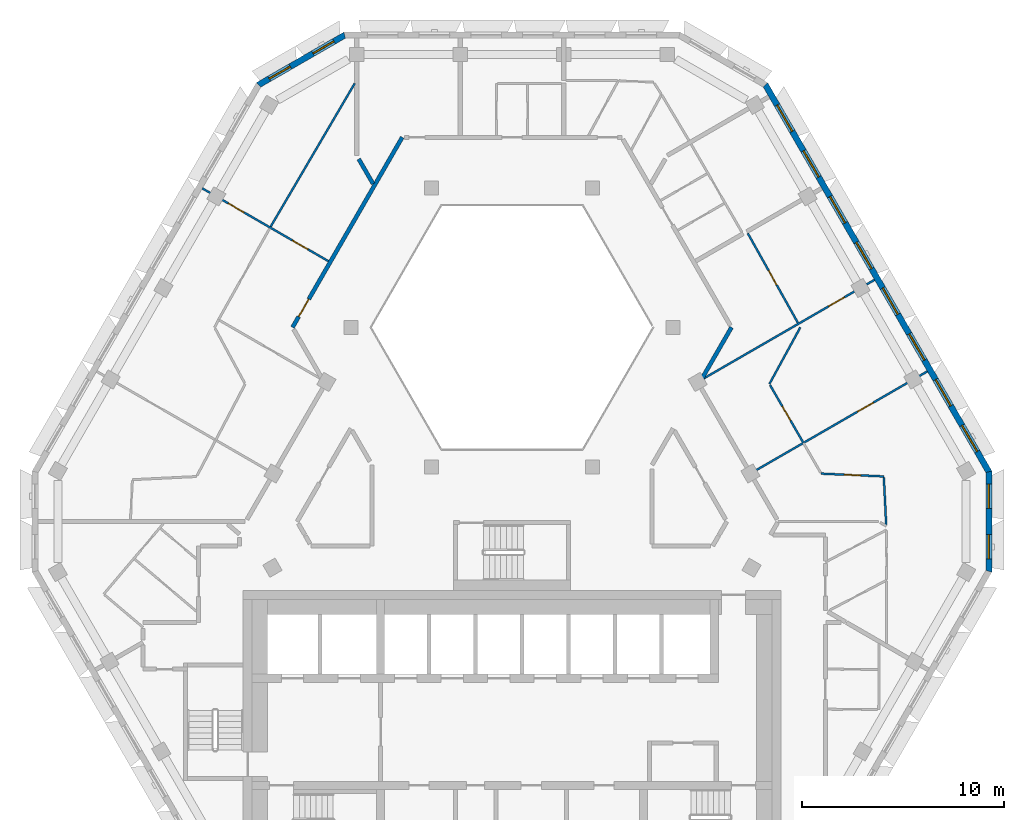
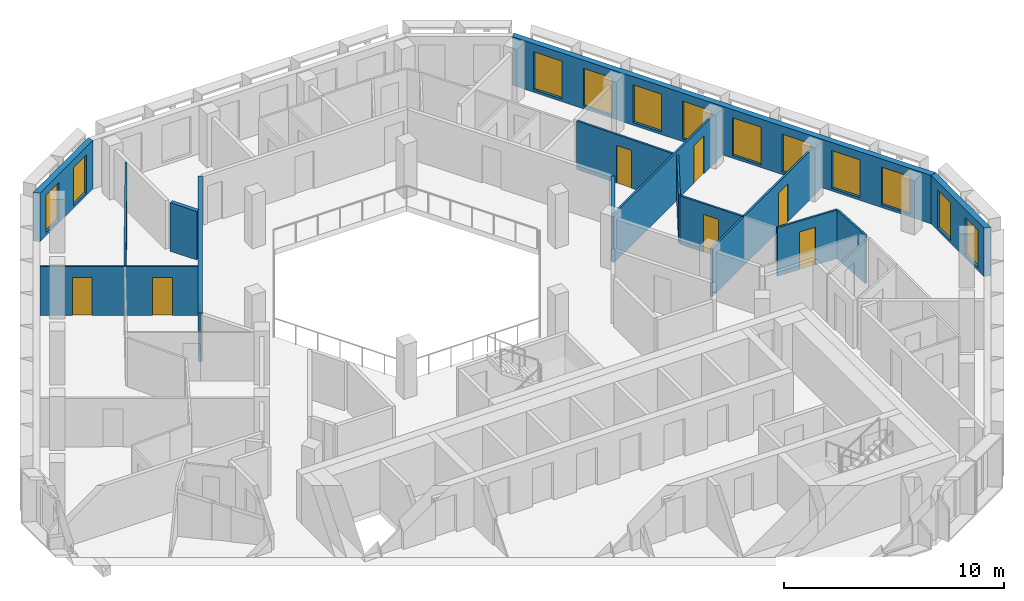
# One storey, part 7 of 16: 15 walls, 12 windows, 8 doors, 20 openings.
"""IFC4 building model written with IfcOpenShell, lengths in metres."""

import ifcopenshell
import ifcopenshell.guid

model = None  # the IFC model being written
_history = None  # IfcOwnerHistory: only IFC2X3 demands one
_inside = {}  # id of a spatial element -> (the spatial element, [elements in it])
_under = {}  # id of a project, library or spatial element -> (it, [spatial elements below it])
_declared = {}  # id of a project -> (the project, [libraries it declares])
_typed = {}  # id of a type object -> (the type object, [elements of that type])
_made_of = {}  # id of a material, layer set ... -> (it, [elements and type objects made of it])


def new_model(schema):
    """Start an empty IFC model of exactly this schema.

    Asked for "IFC4X3", IfcOpenShell would pick the latest addendum, in which some entities
    have other attributes; the version numbers below select the first issue.
    IFC2X3 requires an IfcOwnerHistory on every rooted entity: one is made here for all.
    """
    global model, _history
    if schema == "IFC4X3":
        model = ifcopenshell.file(schema_version=(4, 3, 0, 0))
    else:
        model = ifcopenshell.file(schema=schema)
    _inside.clear()
    _under.clear()
    _declared.clear()
    _typed.clear()
    _made_of.clear()
    _history = None
    if model.schema == "IFC2X3":
        org = make("IfcOrganization", Name="unknown")
        user = make(
            "IfcPersonAndOrganization",
            ThePerson=make("IfcPerson", FamilyName="unknown"),
            TheOrganization=org,
        )
        app = make(
            "IfcApplication",
            ApplicationDeveloper=org,
            Version="unknown",
            ApplicationFullName="unknown",
            ApplicationIdentifier="unknown",
        )
        _history = make(
            "IfcOwnerHistory",
            OwningUser=user,
            OwningApplication=app,
            ChangeAction="ADDED",
            CreationDate=0,
        )
    return model


def make(cls, **values):
    """One entity of the class cls with the attributes given. An attribute that is None is left unset."""
    return model.create_entity(
        cls, **{name: value for name, value in values.items() if value is not None}
    )


def rooted(cls, **values):
    """An entity with a GlobalId (a new one), such as an element, a storey or a relation."""
    return make(cls, GlobalId=ifcopenshell.guid.new(), OwnerHistory=_history, **values)


def si_unit(unit_type, name, prefix=None):
    """IfcSIUnit, for example si_unit("LENGTHUNIT", "METRE", prefix="MILLI")."""
    return make("IfcSIUnit", UnitType=unit_type, Prefix=prefix, Name=name)


def assignment(units):
    """IfcUnitAssignment: the units of a project."""
    return None if units is None else make("IfcUnitAssignment", Units=units)


def point(xyz):
    """IfcCartesianPoint."""
    return None if xyz is None else make("IfcCartesianPoint", Coordinates=xyz)


def direction(xyz):
    """IfcDirection."""
    return None if xyz is None else make("IfcDirection", DirectionRatios=xyz)


def frame(location, z_axis=None, x_axis=None):
    """IfcAxis2Placement3D, a coordinate frame: its origin and axes. An axis left out is left unset."""
    return make(
        "IfcAxis2Placement3D",
        Location=point(location),
        Axis=direction(z_axis),
        RefDirection=direction(x_axis),
    )


def frame_2d(location, x_axis=None):
    """IfcAxis2Placement2D, a coordinate frame in the plane: its origin and x axis."""
    return make(
        "IfcAxis2Placement2D", Location=point(location), RefDirection=direction(x_axis)
    )


def origin():
    """The frame at (0, 0, 0) with its axes left unset."""
    return frame((0.0, 0.0, 0.0))


def place(relative_to, where):
    """IfcLocalPlacement: puts the frame where relative to a parent placement (None: the world)."""
    return make(
        "IfcLocalPlacement", PlacementRelTo=relative_to, RelativePlacement=where
    )


def context(
    kind, dimensions, precision=None, world=None, true_north=None, identifier=None
):
    """IfcGeometricRepresentationContext, for example the 3D "Model" context."""
    return make(
        "IfcGeometricRepresentationContext",
        ContextIdentifier=identifier,
        ContextType=kind,
        CoordinateSpaceDimension=dimensions,
        Precision=precision,
        WorldCoordinateSystem=world,
        TrueNorth=true_north,
    )


def subcontext(parent, identifier, kind, view, scale=None):
    """IfcGeometricRepresentationSubContext, for example "Body" below "Model"."""
    return make(
        "IfcGeometricRepresentationSubContext",
        ContextIdentifier=identifier,
        ContextType=kind,
        ParentContext=parent,
        TargetScale=scale,
        TargetView=view,
    )


def project(units=None, contexts=None):
    """IfcProject with its units and contexts."""
    return rooted(
        "IfcProject",
        Name="project",
        RepresentationContexts=contexts,
        UnitsInContext=assignment(units),
    )


def spatial(cls, under=None, at=None, **own):
    """A site, building, storey or space (cls), placed at a placement, below another one or the project."""
    s = rooted(cls, ObjectPlacement=at, **own)
    if under is not None:
        _under.setdefault(under.id(), (under, []))[1].append(s)
    return s


def polyline(points):
    """IfcPolyline through the points."""
    return make("IfcPolyline", Points=[point(p) for p in points])


def profile(cls, at=None, kind="AREA", **sizes):
    """A parametric profile (cls). Its sizes go by their IFC names, for example OverallWidth=200.0."""
    return make(cls, ProfileType=kind, Position=at, **sizes)


def rectangle(**sizes):
    """IfcRectangleProfileDef."""
    return profile("IfcRectangleProfileDef", **sizes)


def outline(outer, holes=None, kind="AREA"):
    """IfcArbitraryClosedProfileDef: a profile drawn as a closed curve; with holes, ...WithVoids."""
    if holes is None:
        return make("IfcArbitraryClosedProfileDef", ProfileType=kind, OuterCurve=outer)
    return make(
        "IfcArbitraryProfileDefWithVoids",
        ProfileType=kind,
        OuterCurve=outer,
        InnerCurves=holes,
    )


def extrude(swept, where, along, depth):
    """IfcExtrudedAreaSolid: the profile swept, set in the frame where, extruded along a direction by depth."""
    return make(
        "IfcExtrudedAreaSolid",
        SweptArea=swept,
        Position=where,
        ExtrudedDirection=direction(along),
        Depth=depth,
    )


def shape(context_of_items, identifier, shape_type, items):
    """IfcShapeRepresentation: the items that make up one representation, for example the "Body"."""
    return make(
        "IfcShapeRepresentation",
        ContextOfItems=context_of_items,
        RepresentationIdentifier=identifier,
        RepresentationType=shape_type,
        Items=items,
    )


def material(Name=None, Category=None):
    """IfcMaterial."""
    return make("IfcMaterial", Name=Name, Category=Category)


def layer(
    of_material, thickness, ventilated=None, Name=None, Category=None, Priority=None
):
    """IfcMaterialLayer: one layer of a wall or slab, of a material (None: an air gap)."""
    return make(
        "IfcMaterialLayer",
        Material=of_material,
        LayerThickness=thickness,
        IsVentilated=ventilated,
        Name=Name,
        Category=Category,
        Priority=Priority,
    )


def layer_set(layers, Name=None):
    """IfcMaterialLayerSet."""
    return make("IfcMaterialLayerSet", MaterialLayers=layers, LayerSetName=Name)


def made_of(thing, what):
    """Note that an element or type object is made of a material, layer set ...; save() writes the relation."""
    if what is not None:
        _made_of.setdefault(what.id(), (what, []))[1].append(thing)
    return thing


def type_object(cls, material=None, **own):
    """A type object (cls), such as IfcWallType, which elements share."""
    return made_of(rooted(cls, **own), material)


def element(
    cls,
    number,
    at=None,
    inside=None,
    cuts=None,
    type_object=None,
    material=None,
    context=None,
    identifier="Body",
    shape_type=None,
    held_by="IfcProductDefinitionShape",
    body=None,
    shapes=None,
    **own,
):
    """One element of the class cls, such as IfcWall. Its Tag is "e" and its number.

    at: its placement. inside: the storey or other place that contains it. cuts: it is an
    opening in that element (IfcRelVoidsElement). A single representation is given by context,
    identifier, shape_type and body (its items); several are given by shapes. held_by: the class
    of the entity that holds the representations. save() writes the other relations.
    """
    e = rooted(cls, Tag="e%d" % number, ObjectPlacement=at, **own)
    if body is not None:
        shapes = [shape(context, identifier, shape_type, body)]
    if shapes is not None:
        e.Representation = make(held_by, Representations=shapes)
    if inside is not None:
        _inside.setdefault(inside.id(), (inside, []))[1].append(e)
    if cuts is not None:
        rooted(
            "IfcRelVoidsElement", RelatingBuildingElement=cuts, RelatedOpeningElement=e
        )
    if type_object is not None:
        _typed.setdefault(type_object.id(), (type_object, []))[1].append(e)
    return made_of(e, material)


def fill(opening, filler):
    """IfcRelFillsElement: the door or window that sits in an opening."""
    return rooted(
        "IfcRelFillsElement",
        RelatingOpeningElement=opening,
        RelatedBuildingElement=filler,
    )


def aggregate(whole, parts):
    """IfcRelAggregates: a whole, such as a stair, and the parts it consists of."""
    return rooted("IfcRelAggregates", RelatingObject=whole, RelatedObjects=parts)


def save(model, path):
    """Write the relations noted so far, then the file.

    IfcRelAggregates (storeys below a building ...), IfcRelContainedInSpatialStructure (elements
    in a storey), IfcRelDefinesByType, IfcRelAssociatesMaterial and IfcRelDeclares: one each for
    every whole, place, type object, material and project.
    """
    for whole, parts in _under.values():
        aggregate(whole, parts)
    for where, things in _inside.values():
        rooted(
            "IfcRelContainedInSpatialStructure",
            RelatedElements=things,
            RelatingStructure=where,
        )
    for kind, things in _typed.values():
        rooted("IfcRelDefinesByType", RelatedObjects=things, RelatingType=kind)
    for what, things in _made_of.values():
        rooted("IfcRelAssociatesMaterial", RelatedObjects=things, RelatingMaterial=what)
    for by, libraries in _declared.values():
        rooted("IfcRelDeclares", RelatingContext=by, RelatedDefinitions=libraries)
    model.write(path)


model = new_model("IFC4")

# Units and contexts
model_context = context("Model", 3, precision=1e-05, world=origin(), true_north=direction((0.0, 1.0)))
body_context = subcontext(model_context, "Body", "Model", "MODEL_VIEW")
ifc_project = project(units=[si_unit("LENGTHUNIT", "METRE"), si_unit("AREAUNIT", "SQUARE_METRE"), si_unit("VOLUMEUNIT", "CUBIC_METRE"), si_unit("PLANEANGLEUNIT", "RADIAN"), si_unit("MASSUNIT", "GRAM", prefix="KILO")], contexts=[model_context])

# Site, building, storey
site_placement = place(None, origin())
site = spatial("IfcSite", under=ifc_project, at=site_placement, CompositionType="ELEMENT")
building_placement = place(site_placement, origin())
building = spatial("IfcBuilding", under=site, at=building_placement, Name="Beryl Residences", CompositionType="ELEMENT")
storey_placement = place(building_placement, frame((0.0, 0.0, 220.800048828125)))
storey = spatial("IfcBuildingStorey", under=building, at=storey_placement, Name="L68", CompositionType="ELEMENT", Elevation=220.800048828125)

# Wall, openings, windows
ifc_material_1 = material(Name="Composite metal panel with mineral wool insulation")
ifc_layer_1 = layer(ifc_material_1, 0.300048828125)
ifc_layer_set_1 = layer_set([ifc_layer_1], Name="ES1 pale metal composite panel wall 300 mm")
wall_type_1 = type_object("IfcWallType", Name="ES1 pale metal composite panel wall 300 mm", PredefinedType="SOLIDWALL", material=ifc_layer_set_1)
wall_1_placement = place(storey_placement, frame((-8.239013671875, 22.469970703125, 0.0), z_axis=(0.0, 0.0, 1.0), x_axis=(-0.866022959057, -0.500004234368, 0.0)))
wall_1 = element("IfcWall", 1, at=wall_1_placement, inside=storey, type_object=wall_type_1, Name="ES1 external wall L68 N-NW", PredefinedType="SOLIDWALL", context=body_context, shape_type="SweptSolid", body=[
    extrude(outline(polyline([(0.0, -0.14990234375), (5.0, -0.14990234375), (4.919677734375, 0.14990234375), (0.080322265625, 0.14990234375), (0.0, -0.14990234375)])), origin(), (0.0, 0.0, 1.0), 2.699951171875),
])
opening_1_placement = place(wall_1_placement, frame((0.64990234375, 0.0, 0.14990234375)))
opening_1 = element("IfcOpeningElement", 2, at=opening_1_placement, cuts=wall_1, Name="Opening W2", PredefinedType="OPENING", context=body_context, shape_type="SweptSolid", body=[
    extrude(rectangle(XDim=1.199951171875, YDim=2.10009765625, at=frame_2d((0.60009765625, 1.050048828125))), frame((0.0, 0.159912109375, 0.0), z_axis=(0.0, -1.0, 0.0), x_axis=(1.0, 0.0, 0.0)), (0.0, 0.0, 1.0), 0.320068359375),
])
opening_2_placement = place(wall_1_placement, frame((3.14892578125, 0.0, 0.14990234375)))
opening_2 = element("IfcOpeningElement", 3, at=opening_2_placement, cuts=wall_1, Name="Opening W2", PredefinedType="OPENING", context=body_context, shape_type="SweptSolid", body=[
    extrude(rectangle(XDim=1.199951171875, YDim=2.10009765625, at=frame_2d((0.60009765625, 1.050048828125))), frame((0.0, 0.159912109375, 0.0), z_axis=(0.0, -1.0, 0.0), x_axis=(1.0, 0.0, 0.0)), (0.0, 0.0, 1.0), 0.320068359375),
])
ifc_material_2 = material(Name="Aluminium and clear glass", Category="aluminium")
window_type_1 = type_object("IfcWindowType", Name="W2 chamfer window 1200 x 2100 mm", PartitioningType="SINGLE_PANEL", PredefinedType="WINDOW", material=ifc_material_2)
window_1_placement = place(opening_1_placement, origin())
window_1 = element("IfcWindow", 4, at=window_1_placement, inside=storey, type_object=window_type_1, Name="W2 window L68 N-NW 1", OverallHeight=2.10009765625, OverallWidth=1.199951171875, PartitioningType="SINGLE_PANEL", PredefinedType="WINDOW", context=body_context, shape_type="SweptSolid", body=[
    extrude(rectangle(XDim=1.199951171875, YDim=2.10009765625, at=frame_2d((0.60009765625, 1.050048828125))), frame((0.0, 0.030029296875, 0.0), z_axis=(0.0, -1.0, 0.0), x_axis=(1.0, 0.0, 0.0)), (0.0, 0.0, 1.0), 0.06005859375),
])
fill(opening_1, window_1)
window_2_placement = place(opening_2_placement, origin())
window_2 = element("IfcWindow", 5, at=window_2_placement, inside=storey, type_object=window_type_1, Name="W2 window L68 N-NW 2", OverallHeight=2.10009765625, OverallWidth=1.199951171875, PartitioningType="SINGLE_PANEL", PredefinedType="WINDOW", context=body_context, shape_type="SweptSolid", body=[
    extrude(rectangle(XDim=1.199951171875, YDim=2.10009765625, at=frame_2d((0.60009765625, 1.050048828125))), frame((0.0, 0.030029296875, 0.0), z_axis=(0.0, -1.0, 0.0), x_axis=(1.0, 0.0, 0.0)), (0.0, 0.0, 1.0), 0.06005859375),
])
fill(opening_2, window_2)

wall_2_placement = place(storey_placement, frame((23.5791015625, -4.10009765625, 0.0), z_axis=(0.0, 0.0, 1.0), x_axis=(0.0, 1.0, 0.0)))
wall_2 = element("IfcWall", 6, at=wall_2_placement, inside=storey, type_object=wall_type_1, Name="ES1 external wall L68 SE-NE", PredefinedType="SOLIDWALL", context=body_context, shape_type="SweptSolid", body=[
    extrude(outline(polyline([(0.0, -0.14990234375), (5.0, -0.14990234375), (4.919677734375, 0.14990234375), (0.080322265625, 0.14990234375), (0.0, -0.14990234375)])), origin(), (0.0, 0.0, 1.0), 2.699951171875),
])
opening_3_placement = place(wall_2_placement, frame((0.64990234375, 0.0, 0.14990234375)))
opening_3 = element("IfcOpeningElement", 7, at=opening_3_placement, cuts=wall_2, Name="Opening W2", PredefinedType="OPENING", context=body_context, shape_type="SweptSolid", body=[
    extrude(rectangle(XDim=1.199951171875, YDim=2.10009765625, at=frame_2d((0.60009765625, 1.050048828125))), frame((0.0, 0.159912109375, 0.0), z_axis=(0.0, -1.0, 0.0), x_axis=(1.0, 0.0, 0.0)), (0.0, 0.0, 1.0), 0.320068359375),
])
opening_4_placement = place(wall_2_placement, frame((3.14990234375, 0.0, 0.14990234375)))
opening_4 = element("IfcOpeningElement", 8, at=opening_4_placement, cuts=wall_2, Name="Opening W2", PredefinedType="OPENING", context=body_context, shape_type="SweptSolid", body=[
    extrude(rectangle(XDim=1.199951171875, YDim=2.10009765625, at=frame_2d((0.60009765625, 1.050048828125))), frame((0.0, 0.159912109375, 0.0), z_axis=(0.0, -1.0, 0.0), x_axis=(1.0, 0.0, 0.0)), (0.0, 0.0, 1.0), 0.320068359375),
])
window_3_placement = place(opening_3_placement, origin())
window_3 = element("IfcWindow", 9, at=window_3_placement, inside=storey, type_object=window_type_1, Name="W2 window L68 SE-NE 1", OverallHeight=2.10009765625, OverallWidth=1.199951171875, PartitioningType="SINGLE_PANEL", PredefinedType="WINDOW", context=body_context, shape_type="SweptSolid", body=[
    extrude(rectangle(XDim=1.199951171875, YDim=2.10009765625, at=frame_2d((0.60009765625, 1.050048828125))), frame((0.0, 0.030029296875, 0.0), z_axis=(0.0, -1.0, 0.0), x_axis=(1.0, 0.0, 0.0)), (0.0, 0.0, 1.0), 0.06005859375),
])
fill(opening_3, window_3)
window_4_placement = place(opening_4_placement, origin())
window_4 = element("IfcWindow", 10, at=window_4_placement, inside=storey, type_object=window_type_1, Name="W2 window L68 SE-NE 2", OverallHeight=2.10009765625, OverallWidth=1.199951171875, PartitioningType="SINGLE_PANEL", PredefinedType="WINDOW", context=body_context, shape_type="SweptSolid", body=[
    extrude(rectangle(XDim=1.199951171875, YDim=2.10009765625, at=frame_2d((0.60009765625, 1.050048828125))), frame((0.0, 0.030029296875, 0.0), z_axis=(0.0, -1.0, 0.0), x_axis=(1.0, 0.0, 0.0)), (0.0, 0.0, 1.0), 0.06005859375),
])
fill(opening_4, window_4)

wall_3_placement = place(storey_placement, frame((23.59912109375, 0.824951171875, 0.0), z_axis=(0.0, 0.0, 1.0), x_axis=(-0.500003656944, 0.866023292436, 0.0)))
wall_3 = element("IfcWall", 11, at=wall_3_placement, inside=storey, type_object=wall_type_1, Name="ES1 external wall L68 NE", PredefinedType="SOLIDWALL", context=body_context, shape_type="SweptSolid", body=[
    extrude(outline(polyline([(0.0, -0.14990234375), (22.170166015625, -0.14990234375), (22.08984375, 0.14990234375), (0.080322265625, 0.14990234375), (0.0, -0.14990234375)])), origin(), (0.0, 0.0, 1.0), 2.699951171875),
])
opening_5_placement = place(wall_3_placement, frame((1.19091796875, 0.0, 0.14990234375)))
opening_5 = element("IfcOpeningElement", 12, at=opening_5_placement, cuts=wall_3, Name="Opening W1", PredefinedType="OPENING", context=body_context, shape_type="SweptSolid", body=[
    extrude(rectangle(XDim=1.5, YDim=2.10009765625, at=frame_2d((0.75, 1.050048828125))), frame((0.0, 0.159912109375, 0.0), z_axis=(0.0, -1.0, 0.0), x_axis=(1.0, 0.0, 0.0)), (0.0, 0.0, 1.0), 0.320068359375),
])
opening_6_placement = place(wall_3_placement, frame((3.803955078125, 0.0, 0.14990234375)))
opening_6 = element("IfcOpeningElement", 13, at=opening_6_placement, cuts=wall_3, Name="Opening W1", PredefinedType="OPENING", context=body_context, shape_type="SweptSolid", body=[
    extrude(rectangle(XDim=1.5, YDim=2.10009765625, at=frame_2d((0.75, 1.050048828125))), frame((0.0, 0.159912109375, 0.0), z_axis=(0.0, -1.0, 0.0), x_axis=(1.0, 0.0, 0.0)), (0.0, 0.0, 1.0), 0.320068359375),
])
opening_7_placement = place(wall_3_placement, frame((6.4169921875, 0.0, 0.14990234375)))
opening_7 = element("IfcOpeningElement", 14, at=opening_7_placement, cuts=wall_3, Name="Opening W1", PredefinedType="OPENING", context=body_context, shape_type="SweptSolid", body=[
    extrude(rectangle(XDim=1.5, YDim=2.10009765625, at=frame_2d((0.75, 1.050048828125))), frame((0.0, 0.159912109375, 0.0), z_axis=(0.0, -1.0, 0.0), x_axis=(1.0, 0.0, 0.0)), (0.0, 0.0, 1.0), 0.320068359375),
])
opening_8_placement = place(wall_3_placement, frame((9.029052734375, 0.0, 0.14990234375)))
opening_8 = element("IfcOpeningElement", 15, at=opening_8_placement, cuts=wall_3, Name="Opening W1", PredefinedType="OPENING", context=body_context, shape_type="SweptSolid", body=[
    extrude(rectangle(XDim=1.5, YDim=2.10009765625, at=frame_2d((0.75, 1.050048828125))), frame((0.0, 0.159912109375, 0.0), z_axis=(0.0, -1.0, 0.0), x_axis=(1.0, 0.0, 0.0)), (0.0, 0.0, 1.0), 0.320068359375),
])
opening_9_placement = place(wall_3_placement, frame((11.64111328125, 0.0, 0.14990234375)))
opening_9 = element("IfcOpeningElement", 16, at=opening_9_placement, cuts=wall_3, Name="Opening W1", PredefinedType="OPENING", context=body_context, shape_type="SweptSolid", body=[
    extrude(rectangle(XDim=1.5, YDim=2.10009765625, at=frame_2d((0.75, 1.050048828125))), frame((0.0, 0.159912109375, 0.0), z_axis=(0.0, -1.0, 0.0), x_axis=(1.0, 0.0, 0.0)), (0.0, 0.0, 1.0), 0.320068359375),
])
opening_10_placement = place(wall_3_placement, frame((14.25390625, 0.0, 0.14990234375)))
opening_10 = element("IfcOpeningElement", 17, at=opening_10_placement, cuts=wall_3, Name="Opening W1", PredefinedType="OPENING", context=body_context, shape_type="SweptSolid", body=[
    extrude(rectangle(XDim=1.5, YDim=2.10009765625, at=frame_2d((0.75, 1.050048828125))), frame((0.0, 0.159912109375, 0.0), z_axis=(0.0, -1.0, 0.0), x_axis=(1.0, 0.0, 0.0)), (0.0, 0.0, 1.0), 0.320068359375),
])
opening_11_placement = place(wall_3_placement, frame((16.865966796875, 0.0, 0.14990234375)))
opening_11 = element("IfcOpeningElement", 18, at=opening_11_placement, cuts=wall_3, Name="Opening W1", PredefinedType="OPENING", context=body_context, shape_type="SweptSolid", body=[
    extrude(rectangle(XDim=1.5, YDim=2.10009765625, at=frame_2d((0.75, 1.050048828125))), frame((0.0, 0.159912109375, 0.0), z_axis=(0.0, -1.0, 0.0), x_axis=(1.0, 0.0, 0.0)), (0.0, 0.0, 1.0), 0.320068359375),
])
opening_12_placement = place(wall_3_placement, frame((19.47900390625, 0.0, 0.14990234375)))
opening_12 = element("IfcOpeningElement", 19, at=opening_12_placement, cuts=wall_3, Name="Opening W1", PredefinedType="OPENING", context=body_context, shape_type="SweptSolid", body=[
    extrude(rectangle(XDim=1.5, YDim=2.10009765625, at=frame_2d((0.75, 1.050048828125))), frame((0.0, 0.159912109375, 0.0), z_axis=(0.0, -1.0, 0.0), x_axis=(1.0, 0.0, 0.0)), (0.0, 0.0, 1.0), 0.320068359375),
])
ifc_material_3 = material(Name="Aluminium and clear glass", Category="aluminium")
window_type_2 = type_object("IfcWindowType", Name="W1 cell window 1500 x 2100 mm", PartitioningType="SINGLE_PANEL", PredefinedType="WINDOW", material=ifc_material_3)
window_5_placement = place(opening_5_placement, origin())
window_5 = element("IfcWindow", 20, at=window_5_placement, inside=storey, type_object=window_type_2, Name="W1 window L68 NE 1", OverallHeight=2.10009765625, OverallWidth=1.5, PartitioningType="SINGLE_PANEL", PredefinedType="WINDOW", context=body_context, shape_type="SweptSolid", body=[
    extrude(rectangle(XDim=1.5, YDim=2.10009765625, at=frame_2d((0.75, 1.050048828125))), frame((0.0, 0.030029296875, 0.0), z_axis=(0.0, -1.0, 0.0), x_axis=(1.0, 0.0, 0.0)), (0.0, 0.0, 1.0), 0.06005859375),
])
fill(opening_5, window_5)
window_6_placement = place(opening_6_placement, origin())
window_6 = element("IfcWindow", 21, at=window_6_placement, inside=storey, type_object=window_type_2, Name="W1 window L68 NE 2", OverallHeight=2.10009765625, OverallWidth=1.5, PartitioningType="SINGLE_PANEL", PredefinedType="WINDOW", context=body_context, shape_type="SweptSolid", body=[
    extrude(rectangle(XDim=1.5, YDim=2.10009765625, at=frame_2d((0.75, 1.050048828125))), frame((0.0, 0.030029296875, 0.0), z_axis=(0.0, -1.0, 0.0), x_axis=(1.0, 0.0, 0.0)), (0.0, 0.0, 1.0), 0.06005859375),
])
fill(opening_6, window_6)
window_7_placement = place(opening_7_placement, origin())
window_7 = element("IfcWindow", 22, at=window_7_placement, inside=storey, type_object=window_type_2, Name="W1 window L68 NE 3", OverallHeight=2.10009765625, OverallWidth=1.5, PartitioningType="SINGLE_PANEL", PredefinedType="WINDOW", context=body_context, shape_type="SweptSolid", body=[
    extrude(rectangle(XDim=1.5, YDim=2.10009765625, at=frame_2d((0.75, 1.050048828125))), frame((0.0, 0.030029296875, 0.0), z_axis=(0.0, -1.0, 0.0), x_axis=(1.0, 0.0, 0.0)), (0.0, 0.0, 1.0), 0.06005859375),
])
fill(opening_7, window_7)
window_8_placement = place(opening_8_placement, origin())
window_8 = element("IfcWindow", 23, at=window_8_placement, inside=storey, type_object=window_type_2, Name="W1 window L68 NE 4", OverallHeight=2.10009765625, OverallWidth=1.5, PartitioningType="SINGLE_PANEL", PredefinedType="WINDOW", context=body_context, shape_type="SweptSolid", body=[
    extrude(rectangle(XDim=1.5, YDim=2.10009765625, at=frame_2d((0.75, 1.050048828125))), frame((0.0, 0.030029296875, 0.0), z_axis=(0.0, -1.0, 0.0), x_axis=(1.0, 0.0, 0.0)), (0.0, 0.0, 1.0), 0.06005859375),
])
fill(opening_8, window_8)
window_9_placement = place(opening_9_placement, origin())
window_9 = element("IfcWindow", 24, at=window_9_placement, inside=storey, type_object=window_type_2, Name="W1 window L68 NE 5", OverallHeight=2.10009765625, OverallWidth=1.5, PartitioningType="SINGLE_PANEL", PredefinedType="WINDOW", context=body_context, shape_type="SweptSolid", body=[
    extrude(rectangle(XDim=1.5, YDim=2.10009765625, at=frame_2d((0.75, 1.050048828125))), frame((0.0, 0.030029296875, 0.0), z_axis=(0.0, -1.0, 0.0), x_axis=(1.0, 0.0, 0.0)), (0.0, 0.0, 1.0), 0.06005859375),
])
fill(opening_9, window_9)
window_10_placement = place(opening_10_placement, origin())
window_10 = element("IfcWindow", 25, at=window_10_placement, inside=storey, type_object=window_type_2, Name="W1 window L68 NE 6", OverallHeight=2.10009765625, OverallWidth=1.5, PartitioningType="SINGLE_PANEL", PredefinedType="WINDOW", context=body_context, shape_type="SweptSolid", body=[
    extrude(rectangle(XDim=1.5, YDim=2.10009765625, at=frame_2d((0.75, 1.050048828125))), frame((0.0, 0.030029296875, 0.0), z_axis=(0.0, -1.0, 0.0), x_axis=(1.0, 0.0, 0.0)), (0.0, 0.0, 1.0), 0.06005859375),
])
fill(opening_10, window_10)
window_11_placement = place(opening_11_placement, origin())
window_11 = element("IfcWindow", 26, at=window_11_placement, inside=storey, type_object=window_type_2, Name="W1 window L68 NE 7", OverallHeight=2.10009765625, OverallWidth=1.5, PartitioningType="SINGLE_PANEL", PredefinedType="WINDOW", context=body_context, shape_type="SweptSolid", body=[
    extrude(rectangle(XDim=1.5, YDim=2.10009765625, at=frame_2d((0.75, 1.050048828125))), frame((0.0, 0.030029296875, 0.0), z_axis=(0.0, -1.0, 0.0), x_axis=(1.0, 0.0, 0.0)), (0.0, 0.0, 1.0), 0.06005859375),
])
fill(opening_11, window_11)
window_12_placement = place(opening_12_placement, origin())
window_12 = element("IfcWindow", 27, at=window_12_placement, inside=storey, type_object=window_type_2, Name="W1 window L68 NE 8", OverallHeight=2.10009765625, OverallWidth=1.5, PartitioningType="SINGLE_PANEL", PredefinedType="WINDOW", context=body_context, shape_type="SweptSolid", body=[
    extrude(rectangle(XDim=1.5, YDim=2.10009765625, at=frame_2d((0.75, 1.050048828125))), frame((0.0, 0.030029296875, 0.0), z_axis=(0.0, -1.0, 0.0), x_axis=(1.0, 0.0, 0.0)), (0.0, 0.0, 1.0), 0.06005859375),
])
fill(opening_12, window_12)

# Wall, opening, door
ifc_material_4 = material(Name="Gypsum board partition on steel studs", Category="steel")
ifc_layer_2 = layer(ifc_material_4, 0.10009765625)
ifc_layer_set_2 = layer_set([ifc_layer_2], Name="PT1 partition 100 mm gypsum board on steel studs")
wall_type_2 = type_object("IfcWallType", Name="PT1 partition 100 mm gypsum board on steel studs", PredefinedType="PARTITIONING", material=ifc_layer_set_2)
wall_4_placement = place(storey_placement, frame((12.759033203125, 5.14990234375, 0.0), z_axis=(0.0, 0.0, 1.0), x_axis=(0.499905801698, -0.866079782369, 0.0)))
wall_4 = element("IfcWall", 28, at=wall_4_placement, inside=storey, type_object=wall_type_2, Name="Wall PT1 L68 005", PredefinedType="PARTITIONING", context=body_context, shape_type="SweptSolid", body=[
    extrude(rectangle(XDim=3.304443359375, YDim=0.10009765625, at=frame_2d((1.65234375, 0.0))), origin(), (0.0, 0.0, 1.0), 2.699951171875),
])
opening_13_placement = place(wall_4_placement, frame((1.222900390625, 0.0, 0.0)))
opening_13 = element("IfcOpeningElement", 29, at=opening_13_placement, cuts=wall_4, Name="Opening D1911", PredefinedType="OPENING", context=body_context, shape_type="SweptSolid", body=[
    extrude(rectangle(XDim=0.800048828125, YDim=2.10009765625, at=frame_2d((0.39990234375, 1.050048828125))), frame((0.0, 0.06005859375, 0.0), z_axis=(0.0, -1.0, 0.0), x_axis=(1.0, 0.0, 0.0)), (0.0, 0.0, 1.0), 0.1201171875),
])
ifc_material_5 = material(Name="Timber door leaf", Category="wood")
door_type_1 = type_object("IfcDoorType", Name="D3 bathroom door 800 x 2100 mm", OperationType="SINGLE_SWING_LEFT", PredefinedType="DOOR", material=ifc_material_5)
door_1_placement = place(opening_13_placement, origin())
door_1 = element("IfcDoor", 30, at=door_1_placement, inside=storey, type_object=door_type_1, Name="Door D1911 L68 001", OperationType="SINGLE_SWING_LEFT", OverallHeight=2.10009765625, OverallWidth=0.800048828125, PredefinedType="DOOR", context=body_context, shape_type="SweptSolid", body=[
    extrude(rectangle(XDim=0.800048828125, YDim=2.10009765625, at=frame_2d((0.39990234375, 1.050048828125))), frame((0.0, 0.02490234375, 0.0), z_axis=(0.0, -1.0, 0.0), x_axis=(1.0, 0.0, 0.0)), (0.0, 0.0, 1.0), 0.050048828125),
])
fill(opening_13, door_1)

wall_5_placement = place(storey_placement, frame((11.659912109375, 12.64990234375, 0.0), z_axis=(0.0, 0.0, 1.0), x_axis=(0.488650242737, -0.872479764965, 0.0)))
wall_5 = element("IfcWall", 31, at=wall_5_placement, inside=storey, type_object=wall_type_2, Name="Wall PT1 L68 007", PredefinedType="PARTITIONING", context=body_context, shape_type="SweptSolid", body=[
    extrude(rectangle(XDim=5.0751953125, YDim=0.10009765625, at=frame_2d((2.53759765625, 0.0))), origin(), (0.0, 0.0, 1.0), 2.699951171875),
])
opening_14_placement = place(wall_5_placement, frame((2.113037109375, 0.0, 0.0)))
opening_14 = element("IfcOpeningElement", 32, at=opening_14_placement, cuts=wall_5, Name="Opening D1912", PredefinedType="OPENING", context=body_context, shape_type="SweptSolid", body=[
    extrude(rectangle(XDim=0.800048828125, YDim=2.10009765625, at=frame_2d((0.39990234375, 1.050048828125))), frame((0.0, 0.06005859375, 0.0), z_axis=(0.0, -1.0, 0.0), x_axis=(1.0, 0.0, 0.0)), (0.0, 0.0, 1.0), 0.1201171875),
])
door_2_placement = place(opening_14_placement, origin())
door_2 = element("IfcDoor", 33, at=door_2_placement, inside=storey, type_object=door_type_1, Name="Door D1912 L68 001", OperationType="SINGLE_SWING_RIGHT", OverallHeight=2.10009765625, OverallWidth=0.800048828125, PredefinedType="DOOR", context=body_context, shape_type="SweptSolid", body=[
    extrude(rectangle(XDim=0.800048828125, YDim=2.10009765625, at=frame_2d((0.39990234375, 1.050048828125))), frame((0.0, 0.02490234375, 0.0), z_axis=(0.0, -1.0, 0.0), x_axis=(1.0, 0.0, 0.0)), (0.0, 0.0, 1.0), 0.050048828125),
])
fill(opening_14, door_2)

# Wall
wall_6_placement = place(storey_placement, frame((18.387939453125, 0.5791015625, 0.0), z_axis=(0.0, 0.0, 1.0), x_axis=(0.049097293833, -0.998794000652, 0.0)))
element("IfcWall", 34, at=wall_6_placement, inside=storey, type_object=wall_type_2, Name="Wall PT1 L68 009", PredefinedType="PARTITIONING", context=body_context, shape_type="SweptSolid", body=[
    extrude(rectangle(XDim=2.362060546875, YDim=0.10009765625, at=frame_2d((1.18115234375, 0.0))), origin(), (0.0, 0.0, 1.0), 2.699951171875),
])

# Wall, opening, door
wall_7_placement = place(storey_placement, frame((15.2880859375, 0.76806640625, 0.0), z_axis=(0.0, 0.0, 1.0), x_axis=(0.999006028269, -0.044575278833, 0.0)))
wall_7 = element("IfcWall", 35, at=wall_7_placement, inside=storey, type_object=wall_type_2, Name="Wall PT1 L68 011", PredefinedType="PARTITIONING", context=body_context, shape_type="SweptSolid", body=[
    extrude(rectangle(XDim=3.10009765625, YDim=0.10009765625, at=frame_2d((1.550048828125, 0.0))), origin(), (0.0, 0.0, 1.0), 2.699951171875),
])
opening_15_placement = place(wall_7_placement, frame((1.14990234375, 0.0, 0.0)))
opening_15 = element("IfcOpeningElement", 36, at=opening_15_placement, cuts=wall_7, Name="Opening D1909", PredefinedType="OPENING", context=body_context, shape_type="SweptSolid", body=[
    extrude(rectangle(XDim=0.800048828125, YDim=2.10009765625, at=frame_2d((0.39990234375, 1.050048828125))), frame((0.0, 0.06005859375, 0.0), z_axis=(0.0, -1.0, 0.0), x_axis=(1.0, 0.0, 0.0)), (0.0, 0.0, 1.0), 0.1201171875),
])
door_3_placement = place(opening_15_placement, origin())
door_3 = element("IfcDoor", 37, at=door_3_placement, inside=storey, type_object=door_type_1, Name="Door D1909 L68 001", OperationType="SINGLE_SWING_LEFT", OverallHeight=2.10009765625, OverallWidth=0.800048828125, PredefinedType="DOOR", context=body_context, shape_type="SweptSolid", body=[
    extrude(rectangle(XDim=0.800048828125, YDim=2.10009765625, at=frame_2d((0.39990234375, 1.050048828125))), frame((0.0, 0.02490234375, 0.0), z_axis=(0.0, -1.0, 0.0), x_axis=(1.0, 0.0, 0.0)), (0.0, 0.0, 1.0), 0.050048828125),
])
fill(opening_15, door_3)

# Wall, openings, doors
wall_8_placement = place(storey_placement, frame((-15.31396484375, 14.875, 0.0), z_axis=(0.0, 0.0, 1.0), x_axis=(0.866001485781, -0.500041424909, 0.0)))
wall_8 = element("IfcWall", 38, at=wall_8_placement, inside=storey, type_object=wall_type_2, Name="Wall PT1 L68 015", PredefinedType="PARTITIONING", context=body_context, shape_type="SweptSolid", body=[
    extrude(rectangle(XDim=7.19970703125, YDim=0.10009765625, at=frame_2d((3.599853515625, 0.0))), origin(), (0.0, 0.0, 1.0), 2.699951171875),
])
opening_16_placement = place(wall_8_placement, frame((5.136962890625, 0.0, 0.0)))
opening_16 = element("IfcOpeningElement", 39, at=opening_16_placement, cuts=wall_8, Name="Opening D1928", PredefinedType="OPENING", context=body_context, shape_type="SweptSolid", body=[
    extrude(rectangle(XDim=0.89990234375, YDim=2.10009765625, at=frame_2d((0.449951171875, 1.050048828125))), frame((0.0, 0.06005859375, 0.0), z_axis=(0.0, -1.0, 0.0), x_axis=(1.0, 0.0, 0.0)), (0.0, 0.0, 1.0), 0.1201171875),
])
opening_17_placement = place(wall_8_placement, frame((1.487060546875, 0.0, 0.0)))
opening_17 = element("IfcOpeningElement", 40, at=opening_17_placement, cuts=wall_8, Name="Opening D1930", PredefinedType="OPENING", context=body_context, shape_type="SweptSolid", body=[
    extrude(rectangle(XDim=0.89990234375, YDim=2.10009765625, at=frame_2d((0.449951171875, 1.050048828125))), frame((0.0, 0.06005859375, 0.0), z_axis=(0.0, -1.0, 0.0), x_axis=(1.0, 0.0, 0.0)), (0.0, 0.0, 1.0), 0.1201171875),
])
ifc_material_6 = material(Name="Timber door leaf", Category="wood")
door_type_2 = type_object("IfcDoorType", Name="D2 room door 900 x 2100 mm", OperationType="SINGLE_SWING_LEFT", PredefinedType="DOOR", material=ifc_material_6)
door_4_placement = place(opening_16_placement, origin())
door_4 = element("IfcDoor", 41, at=door_4_placement, inside=storey, type_object=door_type_2, Name="Door D1928 L68 001", OperationType="SINGLE_SWING_RIGHT", OverallHeight=2.10009765625, OverallWidth=0.89990234375, PredefinedType="DOOR", context=body_context, shape_type="SweptSolid", body=[
    extrude(rectangle(XDim=0.89990234375, YDim=2.10009765625, at=frame_2d((0.449951171875, 1.050048828125))), frame((0.0, 0.02490234375, 0.0), z_axis=(0.0, -1.0, 0.0), x_axis=(1.0, 0.0, 0.0)), (0.0, 0.0, 1.0), 0.050048828125),
])
fill(opening_16, door_4)
door_5_placement = place(opening_17_placement, origin())
door_5 = element("IfcDoor", 42, at=door_5_placement, inside=storey, type_object=door_type_2, Name="Door D1930 L68 001", OperationType="SINGLE_SWING_RIGHT", OverallHeight=2.10009765625, OverallWidth=0.89990234375, PredefinedType="DOOR", context=body_context, shape_type="SweptSolid", body=[
    extrude(rectangle(XDim=0.89990234375, YDim=2.10009765625, at=frame_2d((0.449951171875, 1.050048828125))), frame((0.0, 0.02490234375, 0.0), z_axis=(0.0, -1.0, 0.0), x_axis=(1.0, 0.0, 0.0)), (0.0, 0.0, 1.0), 0.050048828125),
])
fill(opening_17, door_5)

# Walls
wall_9_placement = place(storey_placement, frame((-11.93408203125, 12.98095703125, 0.0), z_axis=(0.0, 0.0, 1.0), x_axis=(0.506072703404, 0.862490822484, 0.0)))
element("IfcWall", 43, at=wall_9_placement, inside=storey, type_object=wall_type_2, Name="Wall PT1 L68 024", PredefinedType="PARTITIONING", context=body_context, shape_type="SweptSolid", body=[
    extrude(rectangle(XDim=8.212158203125, YDim=0.10009765625, at=frame_2d((4.10595703125, 0.0))), origin(), (0.0, 0.0, 1.0), 2.699951171875),
])
wall_10_placement = place(storey_placement, frame((12.72900390625, 5.200927734375, 0.0), z_axis=(0.0, 0.0, 1.0), x_axis=(0.478932598182, 0.877851676764, 0.0)))
element("IfcWall", 44, at=wall_10_placement, inside=storey, type_object=wall_type_2, Name="Wall PT1 L68 027", PredefinedType="PARTITIONING", context=body_context, shape_type="SweptSolid", body=[
    extrude(rectangle(XDim=3.1884765625, YDim=0.10009765625, at=frame_2d((1.59423828125, 0.0))), origin(), (0.0, 0.0, 1.0), 2.699951171875),
])

# Wall, opening, door
wall_11_placement = place(storey_placement, frame((11.87890625, 0.825927734375, 0.0), z_axis=(0.0, 0.0, 1.0), x_axis=(0.866065245018, 0.499930986609, 0.0)))
wall_11 = element("IfcWall", 45, at=wall_11_placement, inside=storey, type_object=wall_type_2, Name="Wall PT1 L68 040", PredefinedType="PARTITIONING", context=body_context, shape_type="SweptSolid", body=[
    extrude(rectangle(XDim=9.99951171875, YDim=0.10009765625, at=frame_2d((4.999755859375, 0.0))), origin(), (0.0, 0.0, 1.0), 2.699951171875),
])
opening_18_placement = place(wall_11_placement, frame((6.011962890625, 0.0, 0.0)))
opening_18 = element("IfcOpeningElement", 46, at=opening_18_placement, cuts=wall_11, Name="Opening D1908", PredefinedType="OPENING", context=body_context, shape_type="SweptSolid", body=[
    extrude(rectangle(XDim=0.89990234375, YDim=2.10009765625, at=frame_2d((0.449951171875, 1.050048828125))), frame((0.0, 0.06005859375, 0.0), z_axis=(0.0, -1.0, 0.0), x_axis=(1.0, 0.0, 0.0)), (0.0, 0.0, 1.0), 0.1201171875),
])
door_6_placement = place(opening_18_placement, origin())
door_6 = element("IfcDoor", 47, at=door_6_placement, inside=storey, type_object=door_type_2, Name="Door D1908 L68 001", OperationType="SINGLE_SWING_RIGHT", OverallHeight=2.10009765625, OverallWidth=0.89990234375, PredefinedType="DOOR", context=body_context, shape_type="SweptSolid", body=[
    extrude(rectangle(XDim=0.89990234375, YDim=2.10009765625, at=frame_2d((0.449951171875, 1.050048828125))), frame((0.0, 0.02490234375, 0.0), z_axis=(0.0, -1.0, 0.0), x_axis=(1.0, 0.0, 0.0)), (0.0, 0.0, 1.0), 0.050048828125),
])
fill(opening_18, door_6)

wall_12_placement = place(storey_placement, frame((9.35400390625, 5.40087890625, 0.0), z_axis=(0.0, 0.0, 1.0), x_axis=(0.866018411306, 0.500012111133, 0.0)))
wall_12 = element("IfcWall", 48, at=wall_12_placement, inside=storey, type_object=wall_type_2, Name="Wall PT1 L68 041", PredefinedType="PARTITIONING", context=body_context, shape_type="SweptSolid", body=[
    extrude(rectangle(XDim=9.898193359375, YDim=0.10009765625, at=frame_2d((4.94921875, 0.0))), origin(), (0.0, 0.0, 1.0), 2.699951171875),
])
opening_19_placement = place(wall_12_placement, frame((7.277099609375, 0.0, 0.0)))
opening_19 = element("IfcOpeningElement", 49, at=opening_19_placement, cuts=wall_12, Name="Opening D1910", PredefinedType="OPENING", context=body_context, shape_type="SweptSolid", body=[
    extrude(rectangle(XDim=0.89990234375, YDim=2.10009765625, at=frame_2d((0.449951171875, 1.050048828125))), frame((0.0, 0.06005859375, 0.0), z_axis=(0.0, -1.0, 0.0), x_axis=(1.0, 0.0, 0.0)), (0.0, 0.0, 1.0), 0.1201171875),
])
door_7_placement = place(opening_19_placement, origin())
door_7 = element("IfcDoor", 50, at=door_7_placement, inside=storey, type_object=door_type_2, Name="Door D1910 L68 001", OperationType="SINGLE_SWING_RIGHT", OverallHeight=2.10009765625, OverallWidth=0.89990234375, PredefinedType="DOOR", context=body_context, shape_type="SweptSolid", body=[
    extrude(rectangle(XDim=0.89990234375, YDim=2.10009765625, at=frame_2d((0.449951171875, 1.050048828125))), frame((0.0, 0.02490234375, 0.0), z_axis=(0.0, -1.0, 0.0), x_axis=(1.0, 0.0, 0.0)), (0.0, 0.0, 1.0), 0.050048828125),
])
fill(opening_19, door_7)

# Walls
ifc_material_7 = material(Name="Acoustic double stud gypsum board wall")
ifc_layer_3 = layer(ifc_material_7, 0.199951171875)
ifc_layer_set_3 = layer_set([ifc_layer_3], Name="PT3 party wall 200 mm acoustic double stud")
wall_type_3 = type_object("IfcWallType", Name="PT3 party wall 200 mm acoustic double stud", PredefinedType="PARTITIONING", material=ifc_layer_set_3)
wall_13_placement = place(storey_placement, frame((-7.577880859375, 16.324951171875, 0.0), z_axis=(0.0, 0.0, 1.0), x_axis=(0.500314976313, -0.865843475737, 0.0)))
element("IfcWall", 51, at=wall_13_placement, inside=storey, type_object=wall_type_3, Name="Wall PT3 L68 002", PredefinedType="PARTITIONING", context=body_context, shape_type="SweptSolid", body=[
    extrude(rectangle(XDim=1.41455078125, YDim=0.199951171875, at=frame_2d((0.707275390625, 0.0))), origin(), (0.0, 0.0, 1.0), 2.699951171875),
])
ifc_material_8 = material(Name="Double stud gypsum board wall")
ifc_layer_4 = layer(ifc_material_8, 0.199951171875)
ifc_layer_set_4 = layer_set([ifc_layer_4], Name="PT4 corridor wall 200 mm double stud")
wall_type_4 = type_object("IfcWallType", Name="PT4 corridor wall 200 mm double stud", PredefinedType="PARTITIONING", material=ifc_layer_set_4)
wall_14_placement = place(storey_placement, frame((9.404052734375, 5.487060546875, 0.0), z_axis=(0.0, 0.0, 1.0), x_axis=(0.499768590677, 0.866158966803, 0.0)))
element("IfcWall", 52, at=wall_14_placement, inside=storey, type_object=wall_type_4, Name="Wall PT4 L68 019", PredefinedType="PARTITIONING", context=body_context, shape_type="SweptSolid", body=[
    extrude(rectangle(XDim=2.901123046875, YDim=0.199951171875, at=frame_2d((1.45068359375, 0.0))), origin(), (0.0, 0.0, 1.0), 2.699951171875),
])

# Wall, opening, door
wall_15_placement = place(storey_placement, frame((-10.85400390625, 8.0, 0.0), z_axis=(0.0, 0.0, 1.0), x_axis=(0.499997637144, 0.866026767976, 0.0)))
wall_15 = element("IfcWall", 53, at=wall_15_placement, inside=storey, type_object=wall_type_4, Name="Wall PT4 L68 025", PredefinedType="PARTITIONING", context=body_context, shape_type="SweptSolid", body=[
    extrude(rectangle(XDim=10.85400390625, YDim=0.199951171875, at=frame_2d((5.427001953125, 0.0))), origin(), (0.0, 0.0, 1.0), 2.699951171875),
])
opening_20_placement = place(wall_15_placement, frame((0.612060546875, 0.0, 0.0)))
opening_20 = element("IfcOpeningElement", 54, at=opening_20_placement, cuts=wall_15, Name="Opening D1925", PredefinedType="OPENING", context=body_context, shape_type="SweptSolid", body=[
    extrude(rectangle(XDim=1.0, YDim=2.10009765625, at=frame_2d((0.5, 1.050048828125))), frame((0.0, 0.10986328125, 0.0), z_axis=(0.0, -1.0, 0.0), x_axis=(1.0, 0.0, 0.0)), (0.0, 0.0, 1.0), 0.219970703125),
])
ifc_material_9 = material(Name="Timber door leaf", Category="wood")
door_type_3 = type_object("IfcDoorType", Name="D1 flat entrance door 1000 x 2100 mm", OperationType="SINGLE_SWING_LEFT", PredefinedType="DOOR", material=ifc_material_9)
door_8_placement = place(opening_20_placement, origin())
door_8 = element("IfcDoor", 55, at=door_8_placement, inside=storey, type_object=door_type_3, Name="Door D1925 L68 001", OperationType="SINGLE_SWING_LEFT", OverallHeight=2.10009765625, OverallWidth=1.0, PredefinedType="DOOR", context=body_context, shape_type="SweptSolid", body=[
    extrude(rectangle(XDim=1.0, YDim=2.10009765625, at=frame_2d((0.5, 1.050048828125))), frame((0.0, 0.02490234375, 0.0), z_axis=(0.0, -1.0, 0.0), x_axis=(1.0, 0.0, 0.0)), (0.0, 0.0, 1.0), 0.050048828125),
])
fill(opening_20, door_8)

save(model, "model.ifc")
